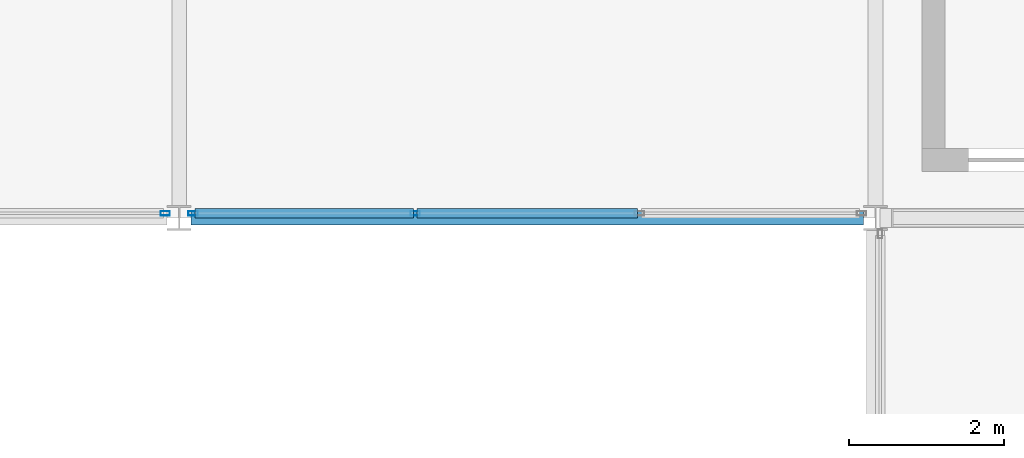
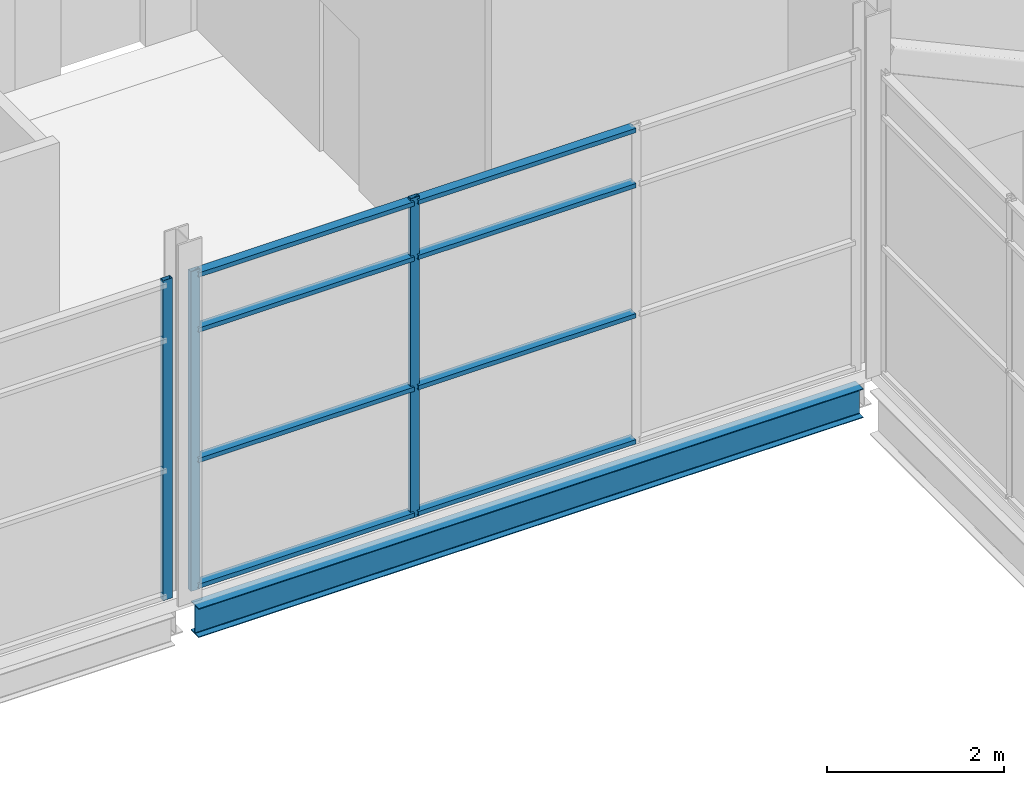
# One storey, part 53 of 112: 11 members, 1 beam, 2 elements without a shape of their own.
"""IFC4 building model written with IfcOpenShell, lengths in metres."""

from ifc_helpers import new_model, si_unit, direction, frame, origin, origin_2d, place, context, subcontext, project, spatial, hollow_rectangle, i_section, extrude, material, layer, layer_set, material_profile, profile_set, type_object, element, aggregate, save


model = new_model("IFC4")

# Units and contexts
model_context = context("Model", 3, precision=1e-05, world=origin(), true_north=direction((0.0, 1.0)))
body_context = subcontext(model_context, "Body", "Model", "MODEL_VIEW")
ifc_project = project(units=[si_unit("LENGTHUNIT", "METRE"), si_unit("AREAUNIT", "SQUARE_METRE"), si_unit("VOLUMEUNIT", "CUBIC_METRE"), si_unit("PLANEANGLEUNIT", "RADIAN"), si_unit("MASSUNIT", "GRAM", prefix="KILO")], contexts=[model_context])

# Site, building, storey
site_placement = place(None, origin())
site = spatial("IfcSite", under=ifc_project, at=site_placement, CompositionType="ELEMENT")
building_placement = place(site_placement, origin())
building = spatial("IfcBuilding", under=site, at=building_placement, Name="Shorebreak Coast Museum", CompositionType="ELEMENT")
storey_placement = place(building_placement, frame((0.0, 0.0, 6.0)))
storey = spatial("IfcBuildingStorey", under=building, at=storey_placement, Name="L01", CompositionType="ELEMENT", Elevation=6.0)

# Beam
ifc_material_1 = material(Name="Steel Grade 300", Category="steel")
ifc_material_profile_1 = material_profile(ifc_material_1, i_section(OverallWidth=0.177978515625, OverallDepth=0.402587890625, WebThickness=0.007568359375, FlangeThickness=0.010986328125, FilletRadius=0.011474609375, at=origin_2d()), Name="410UB53.7")
ifc_profile_set_1 = profile_set([ifc_material_profile_1], Name="Steel Grade 300")
beam_type = type_object("IfcBeamType", Name="Floor girder east-west 410UB53.7", PredefinedType="BEAM", material=ifc_profile_set_1)
beam_placement = place(storey_placement, frame((99.155517578125, 81.0, -0.376220703125), z_axis=(1.0, 0.0, 0.0), x_axis=(0.0, 1.0, 0.0)))
element("IfcBeam", 1, at=beam_placement, inside=storey, type_object=beam_type, Name="Floor girder east-west L01 12K", PredefinedType="BEAM", context=body_context, shape_type="SweptSolid", body=[
    extrude(i_section(OverallWidth=0.177978515625, OverallDepth=0.402587890625, WebThickness=0.007568359375, FlangeThickness=0.010986328125, FilletRadius=0.011474609375, at=origin_2d()), origin(), (0.0, 0.0, 1.0), 8.68896484375),
])

# Curtain wall, member
ifc_material_2 = material(Name="Aluminium", Category="aluminium")
ifc_layer = layer(ifc_material_2, 0.1201171875)
ifc_layer_set = layer_set([ifc_layer], Name="Aluminium")
curtain_wall_type = type_object("IfcCurtainWallType", Name="Atrium fire screen", PredefinedType="NOTDEFINED", material=ifc_layer_set)
curtain_wall_1_placement = place(storey_placement, origin())
curtain_wall_1 = element("IfcCurtainWall", 2, at=curtain_wall_1_placement, inside=storey, type_object=curtain_wall_type, Name="Atrium screen L01 N 10", PredefinedType="NOTDEFINED")
ifc_material_3 = material(Name="Aluminium", Category="aluminium")
ifc_material_profile_2 = material_profile(ifc_material_3, hollow_rectangle(XDim=0.06005859375, YDim=0.1201171875, WallThickness=0.00341796875, at=origin_2d()), Name="AL 120x60 RHS")
ifc_profile_set_2 = profile_set([ifc_material_profile_2], Name="Aluminium")
member_type_1 = type_object("IfcMemberType", Name="Screen mullion 50 x 120", PredefinedType="MULLION", material=ifc_profile_set_2)
member_1_placement = place(storey_placement, frame((98.819580078125, 81.06005859375, 0.0), z_axis=(0.0, 0.0, 1.0), x_axis=(0.0, 1.0, 0.0)))
member_1 = element("IfcMember", 3, at=member_1_placement, type_object=member_type_1, Name="CW5 mullion 4", PredefinedType="MULLION", context=body_context, shape_type="SweptSolid", body=[
    extrude(hollow_rectangle(XDim=0.06005859375, YDim=0.1201171875, WallThickness=0.00341796875, at=origin_2d()), origin(), (0.0, 0.0, 1.0), 4.42236328125),
])
aggregate(curtain_wall_1, [member_1])

# Curtain wall, members
curtain_wall_2_placement = place(storey_placement, origin())
curtain_wall_2 = element("IfcCurtainWall", 4, at=curtain_wall_2_placement, inside=storey, type_object=curtain_wall_type, Name="Atrium screen L01 N 11", PredefinedType="NOTDEFINED")
member_2_placement = place(storey_placement, frame((99.180419921875, 81.06005859375, 0.0), z_axis=(0.0, 0.0, 1.0), x_axis=(0.0, 1.0, 0.0)))
member_2 = element("IfcMember", 5, at=member_2_placement, type_object=member_type_1, Name="CW6 mullion 1", PredefinedType="MULLION", context=body_context, shape_type="SweptSolid", body=[
    extrude(hollow_rectangle(XDim=0.06005859375, YDim=0.1201171875, WallThickness=0.00341796875, at=origin_2d()), origin(), (0.0, 0.0, 1.0), 4.42236328125),
])
member_3_placement = place(storey_placement, frame((102.0517578125, 81.06005859375, 0.0), z_axis=(0.0, 0.0, 1.0), x_axis=(0.0, 1.0, 0.0)))
member_3 = element("IfcMember", 6, at=member_3_placement, type_object=member_type_1, Name="CW6 mullion 2", PredefinedType="MULLION", context=body_context, shape_type="SweptSolid", body=[
    extrude(hollow_rectangle(XDim=0.06005859375, YDim=0.1201171875, WallThickness=0.00341796875, at=origin_2d()), origin(), (0.0, 0.0, 1.0), 4.42236328125),
])
ifc_material_4 = material(Name="Aluminium", Category="aluminium")
ifc_material_profile_3 = material_profile(ifc_material_4, hollow_rectangle(XDim=0.1201171875, YDim=0.06005859375, WallThickness=0.00341796875, at=origin_2d()), Name="AL 60x120 RHS")
ifc_profile_set_3 = profile_set([ifc_material_profile_3], Name="Aluminium")
member_type_2 = type_object("IfcMemberType", Name="Screen transom 120 x 50", PredefinedType="USERDEFINED", material=ifc_profile_set_3)
member_4_placement = place(storey_placement, frame((99.20556640625, 81.06005859375, 0.06005859375), z_axis=(1.0, 0.0, 0.0), x_axis=(0.0, 1.0, 0.0)))
member_4 = element("IfcMember", 7, at=member_4_placement, type_object=member_type_2, Name="CW6 transom 1.1", ObjectType="TRANSOM", PredefinedType="USERDEFINED", context=body_context, shape_type="SweptSolid", body=[
    extrude(hollow_rectangle(XDim=0.1201171875, YDim=0.06005859375, WallThickness=0.00341796875, at=origin_2d()), origin(), (0.0, 0.0, 1.0), 2.8212890625),
])
member_5_placement = place(storey_placement, frame((99.20556640625, 81.06005859375, 1.800048828125), z_axis=(1.0, 0.0, 0.0), x_axis=(0.0, 1.0, 0.0)))
member_5 = element("IfcMember", 8, at=member_5_placement, type_object=member_type_2, Name="CW6 transom 1.2", ObjectType="TRANSOM", PredefinedType="USERDEFINED", context=body_context, shape_type="SweptSolid", body=[
    extrude(hollow_rectangle(XDim=0.1201171875, YDim=0.06005859375, WallThickness=0.00341796875, at=origin_2d()), origin(), (0.0, 0.0, 1.0), 2.8212890625),
])
member_6_placement = place(storey_placement, frame((99.20556640625, 81.06005859375, 3.60009765625), z_axis=(1.0, 0.0, 0.0), x_axis=(0.0, 1.0, 0.0)))
member_6 = element("IfcMember", 9, at=member_6_placement, type_object=member_type_2, Name="CW6 transom 1.3", ObjectType="TRANSOM", PredefinedType="USERDEFINED", context=body_context, shape_type="SweptSolid", body=[
    extrude(hollow_rectangle(XDim=0.1201171875, YDim=0.06005859375, WallThickness=0.00341796875, at=origin_2d()), origin(), (0.0, 0.0, 1.0), 2.8212890625),
])
member_7_placement = place(storey_placement, frame((99.20556640625, 81.06005859375, 4.3623046875), z_axis=(1.0, 0.0, 0.0), x_axis=(0.0, 1.0, 0.0)))
member_7 = element("IfcMember", 10, at=member_7_placement, type_object=member_type_2, Name="CW6 transom 1.4", ObjectType="TRANSOM", PredefinedType="USERDEFINED", context=body_context, shape_type="SweptSolid", body=[
    extrude(hollow_rectangle(XDim=0.1201171875, YDim=0.06005859375, WallThickness=0.00341796875, at=origin_2d()), origin(), (0.0, 0.0, 1.0), 2.8212890625),
])
member_8_placement = place(storey_placement, frame((102.076904296875, 81.06005859375, 0.06005859375), z_axis=(1.0, 0.0, 0.0), x_axis=(0.0, 1.0, 0.0)))
member_8 = element("IfcMember", 11, at=member_8_placement, type_object=member_type_2, Name="CW6 transom 2.1", ObjectType="TRANSOM", PredefinedType="USERDEFINED", context=body_context, shape_type="SweptSolid", body=[
    extrude(hollow_rectangle(XDim=0.1201171875, YDim=0.06005859375, WallThickness=0.00341796875, at=origin_2d()), origin(), (0.0, 0.0, 1.0), 2.84619140625),
])
member_9_placement = place(storey_placement, frame((102.076904296875, 81.06005859375, 1.800048828125), z_axis=(1.0, 0.0, 0.0), x_axis=(0.0, 1.0, 0.0)))
member_9 = element("IfcMember", 12, at=member_9_placement, type_object=member_type_2, Name="CW6 transom 2.2", ObjectType="TRANSOM", PredefinedType="USERDEFINED", context=body_context, shape_type="SweptSolid", body=[
    extrude(hollow_rectangle(XDim=0.1201171875, YDim=0.06005859375, WallThickness=0.00341796875, at=origin_2d()), origin(), (0.0, 0.0, 1.0), 2.84619140625),
])
member_10_placement = place(storey_placement, frame((102.076904296875, 81.06005859375, 3.60009765625), z_axis=(1.0, 0.0, 0.0), x_axis=(0.0, 1.0, 0.0)))
member_10 = element("IfcMember", 13, at=member_10_placement, type_object=member_type_2, Name="CW6 transom 2.3", ObjectType="TRANSOM", PredefinedType="USERDEFINED", context=body_context, shape_type="SweptSolid", body=[
    extrude(hollow_rectangle(XDim=0.1201171875, YDim=0.06005859375, WallThickness=0.00341796875, at=origin_2d()), origin(), (0.0, 0.0, 1.0), 2.84619140625),
])
member_11_placement = place(storey_placement, frame((102.076904296875, 81.06005859375, 4.3623046875), z_axis=(1.0, 0.0, 0.0), x_axis=(0.0, 1.0, 0.0)))
member_11 = element("IfcMember", 14, at=member_11_placement, type_object=member_type_2, Name="CW6 transom 2.4", ObjectType="TRANSOM", PredefinedType="USERDEFINED", context=body_context, shape_type="SweptSolid", body=[
    extrude(hollow_rectangle(XDim=0.1201171875, YDim=0.06005859375, WallThickness=0.00341796875, at=origin_2d()), origin(), (0.0, 0.0, 1.0), 2.84619140625),
])
aggregate(curtain_wall_2, [member_2, member_3, member_4, member_5, member_6, member_7, member_8, member_9, member_10, member_11])

save(model, "model.ifc")
